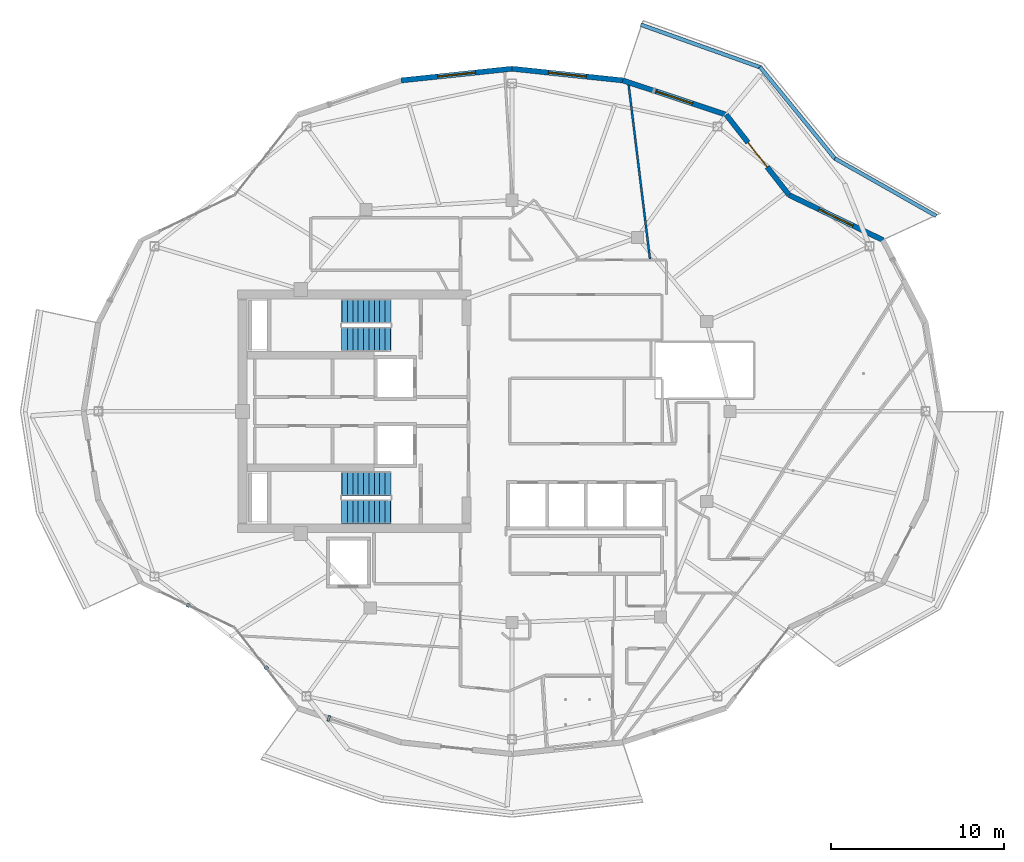
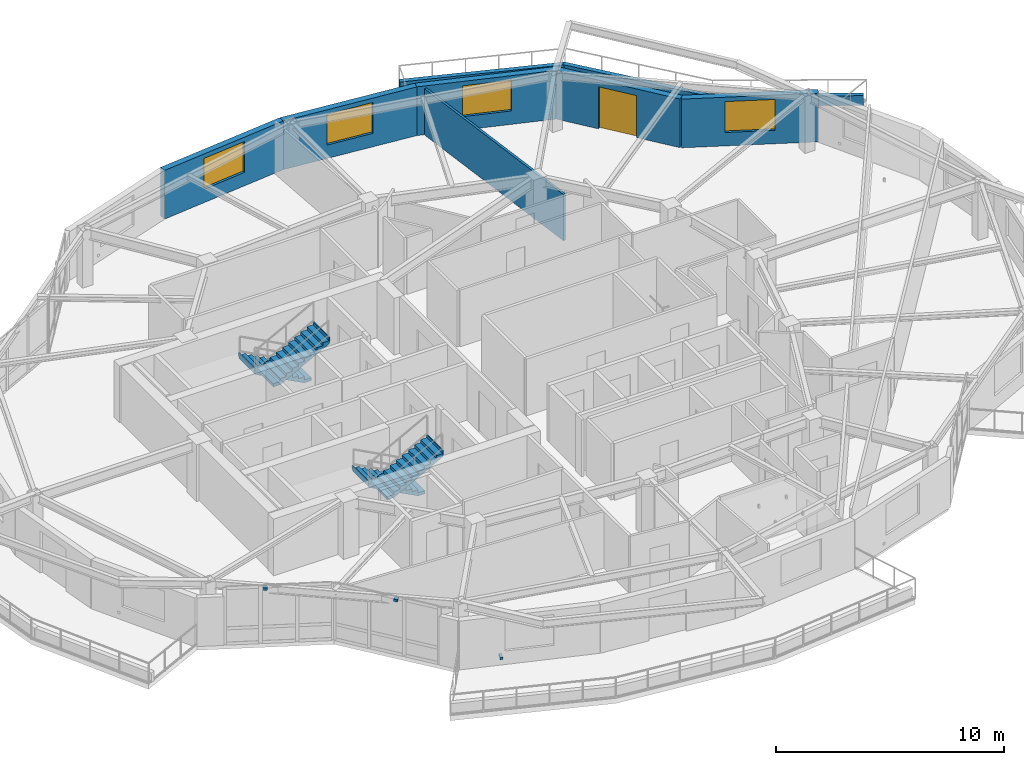
# One storey, part 11 of 19: 9 walls, 4 stair flights, 4 windows, 3 discrete accessories, 1 door, 5 openings, 2 elements without a shape of their own.
"""IFC4 building model written with IfcOpenShell, lengths in metres."""

from ifc_helpers import new_model, si_unit, direction, frame, frame_2d, origin, origin_2d, place, context, subcontext, project, spatial, polyline, rectangle, outline, extrude, material, layer, layer_set, type_object, element, fill, aggregate, save


model = new_model("IFC4")

# Units and contexts
model_context = context("Model", 3, precision=1e-05, world=origin(), true_north=direction((0.0, 1.0)))
body_context = subcontext(model_context, "Body", "Model", "MODEL_VIEW")
ifc_project = project(units=[si_unit("LENGTHUNIT", "METRE"), si_unit("AREAUNIT", "SQUARE_METRE"), si_unit("VOLUMEUNIT", "CUBIC_METRE"), si_unit("PLANEANGLEUNIT", "RADIAN"), si_unit("MASSUNIT", "GRAM", prefix="KILO")], contexts=[model_context])

# Site, building, storey
site_placement = place(None, origin())
site = spatial("IfcSite", under=ifc_project, at=site_placement, CompositionType="ELEMENT")
building_placement = place(site_placement, origin())
building = spatial("IfcBuilding", under=site, at=building_placement, Name="Kolvaren Gate Tower and Convention Centre", CompositionType="ELEMENT")
storey_placement = place(building_placement, frame((0.0, 0.0, 212.89990234375)))
storey = spatial("IfcBuildingStorey", under=building, at=storey_placement, Name="L56", CompositionType="ELEMENT", Elevation=212.89990234375)

# Walls
ifc_material_1 = material(Name="Fire-Rated Acoustic Gypsum Stud Partition", Category="gypsum")
ifc_layer_1 = layer(ifc_material_1, 0.1201171875)
ifc_layer_set_1 = layer_set([ifc_layer_1], Name="Fire-Rated Acoustic Gypsum Stud Partition")
wall_type_1 = type_object("IfcWallType", Name="ARCH-WL-PART-120", PredefinedType="PARTITIONING", material=ifc_layer_set_1)
wall_1_placement = place(storey_placement, frame((36.866455078125, 45.85400390625, 0.0), z_axis=(0.0, 0.0, 1.0), x_axis=(0.12152760456, -0.99258805218, 0.0)))
element("IfcWall", 1, at=wall_1_placement, inside=storey, type_object=wall_type_1, Name="Interior Partition WL-L56-INT-074", PredefinedType="PARTITIONING", context=body_context, shape_type="SweptSolid", body=[
    extrude(rectangle(XDim=10.116943359375, YDim=0.1201171875, at=frame_2d((5.05859375, 0.0))), origin(), (0.0, 0.0, 1.0), 2.47802734375),
])
ifc_material_2 = material(Name="Piedmont Cream Honed Limestone Cladding", Category="masonry")
ifc_layer_2 = layer(ifc_material_2, 0.219970703125)
ifc_layer_set_2 = layer_set([ifc_layer_2], Name="Piedmont Cream Honed Limestone Cladding")
wall_type_2 = type_object("IfcWallType", Name="ARCH-WL-PLANTER-220", PredefinedType="PARAPET", material=ifc_layer_set_2)
wall_2_placement = place(storey_placement, frame((48.7763671875, 41.61669921875, 0.0), z_axis=(0.0, 0.0, 1.0), x_axis=(0.869860619267, -0.493297580623, 0.0)))
element("IfcWall", 2, at=wall_2_placement, inside=storey, type_object=wall_type_2, Name="Vertical-Forest Balcony Stone Planter Kerb PK-L56-1.1", PredefinedType="PARAPET", context=body_context, shape_type="SweptSolid", body=[
    extrude(rectangle(XDim=6.74267578125, YDim=0.219970703125, at=frame_2d((3.371337890625, 0.0))), origin(), (0.0, 0.0, 1.0), 0.52001953125),
])
wall_3_placement = place(storey_placement, frame((44.4482421875, 46.912841796875, 0.0), z_axis=(0.0, 0.0, 1.0), x_axis=(0.632697312147, -0.774399193699, 0.0)))
element("IfcWall", 3, at=wall_3_placement, inside=storey, type_object=wall_type_2, Name="Vertical-Forest Balcony Stone Planter Kerb PK-L56-1.2", PredefinedType="PARAPET", context=body_context, shape_type="SweptSolid", body=[
    extrude(rectangle(XDim=6.9140625, YDim=0.219970703125, at=frame_2d((3.45703125, 0.0))), origin(), (0.0, 0.0, 1.0), 0.52001953125),
])
wall_4_placement = place(storey_placement, frame((37.564697265625, 49.34716796875, 0.0), z_axis=(0.0, 0.0, 1.0), x_axis=(0.941780086523, -0.336229488042, 0.0)))
element("IfcWall", 4, at=wall_4_placement, inside=storey, type_object=wall_type_2, Name="Vertical-Forest Balcony Stone Planter Kerb PK-L56-1.3", PredefinedType="PARAPET", context=body_context, shape_type="SweptSolid", body=[
    extrude(rectangle(XDim=7.3779296875, YDim=0.219970703125, at=frame_2d((3.68896484375, 0.0))), origin(), (0.0, 0.0, 1.0), 0.52001953125),
])

# Wall, opening, window
ifc_layer_3 = layer(ifc_material_2, 0.300048828125)
ifc_layer_set_3 = layer_set([ifc_layer_3], Name="Piedmont Cream Honed Limestone Cladding")
wall_type_3 = type_object("IfcWallType", Name="ARCH-WL-STONE-300", PredefinedType="SOLIDWALL", material=ifc_layer_set_3)
wall_5_placement = place(storey_placement, frame((46.132568359375, 39.50732421875, 0.0), z_axis=(0.0, 0.0, 1.0), x_axis=(0.901348331142, -0.433094892545, 0.0)))
wall_5 = element("IfcWall", 5, at=wall_5_placement, inside=storey, type_object=wall_type_3, Name="Tower L56 Honed Stone Spandrel Wall EW-02", PredefinedType="SOLIDWALL", context=body_context, shape_type="SweptSolid", body=[
    extrude(rectangle(XDim=6.0205078125, YDim=0.300048828125, at=frame_2d((3.01025390625, 0.0))), origin(), (0.0, 0.0, 1.0), 2.60498046875),
])
opening_1_placement = place(wall_5_placement, frame((1.909912109375, 0.0, 0.719970703125)))
opening_1 = element("IfcOpeningElement", 6, at=opening_1_placement, cuts=wall_5, Name="Opening W-03", PredefinedType="OPENING", context=body_context, shape_type="SweptSolid", body=[
    extrude(rectangle(XDim=2.199951171875, YDim=1.64990234375, at=frame_2d((1.10009765625, 0.824951171875))), frame((0.0, 0.159912109375, 0.0), z_axis=(0.0, -1.0, 0.0), x_axis=(1.0, 0.0, 0.0)), (0.0, 0.0, 1.0), 0.320068359375),
])
ifc_material_3 = material(Name="Low-E Triple Insulated Glazing Unit 44 mm", Category="glass")
window_type = type_object("IfcWindowType", Name="ARCH-WN-RES-2200", PartitioningType="SINGLE_PANEL", PredefinedType="WINDOW", material=ifc_material_3)
window_1_placement = place(opening_1_placement, origin())
window_1 = element("IfcWindow", 7, at=window_1_placement, inside=storey, type_object=window_type, Name="Tower L56 Punched Stone Facade Window W-02", OverallHeight=1.64990234375, OverallWidth=2.199951171875, PartitioningType="SINGLE_PANEL", PredefinedType="WINDOW", context=body_context, shape_type="SweptSolid", body=[
    extrude(rectangle(XDim=2.199951171875, YDim=1.64990234375, at=frame_2d((1.10009765625, 0.824951171875))), frame((0.0, 0.030029296875, 0.0), z_axis=(0.0, -1.0, 0.0), x_axis=(1.0, 0.0, 0.0)), (0.0, 0.0, 1.0), 0.06005859375),
])
fill(opening_1, window_1)

# Wall, opening, door
wall_6_placement = place(storey_placement, frame((42.5, 44.147216796875, 0.0), z_axis=(0.0, 0.0, 1.0), x_axis=(0.616450126935, -0.787393955401, 0.0)))
wall_6 = element("IfcWall", 8, at=wall_6_placement, inside=storey, type_object=wall_type_3, Name="Tower L56 Honed Stone Spandrel Wall EW-03", PredefinedType="SOLIDWALL", context=body_context, shape_type="SweptSolid", body=[
    extrude(rectangle(XDim=5.892822265625, YDim=0.300048828125, at=frame_2d((2.9462890625, 0.0))), origin(), (0.0, 0.0, 1.0), 2.60498046875),
])
opening_2_placement = place(wall_6_placement, frame((2.0458984375, 0.0, 0.0)))
opening_2 = element("IfcOpeningElement", 9, at=opening_2_placement, cuts=wall_6, Name="Opening DB-01", PredefinedType="OPENING", context=body_context, shape_type="SweptSolid", body=[
    extrude(rectangle(XDim=1.800048828125, YDim=2.25, at=frame_2d((0.89990234375, 1.125))), frame((0.0, 0.159912109375, 0.0), z_axis=(0.0, -1.0, 0.0), x_axis=(1.0, 0.0, 0.0)), (0.0, 0.0, 1.0), 0.320068359375),
])
ifc_material_4 = material(Name="Anodized Architectural Aluminium Alloy 6063-T6", Category="aluminium")
door_type = type_object("IfcDoorType", Name="ARCH-DR-BALC-1800", OperationType="SLIDING_TO_LEFT", PredefinedType="DOOR", material=ifc_material_4)
door_placement = place(opening_2_placement, origin())
door = element("IfcDoor", 10, at=door_placement, inside=storey, type_object=door_type, Name="Planted Sky Terrace Access Door DB-L56-03", OperationType="SLIDING_TO_LEFT", OverallHeight=2.25, OverallWidth=1.800048828125, PredefinedType="DOOR", context=body_context, shape_type="SweptSolid", body=[
    extrude(rectangle(XDim=1.800048828125, YDim=2.25, at=frame_2d((0.89990234375, 1.125))), frame((0.0, 0.02490234375, 0.0), z_axis=(0.0, -1.0, 0.0), x_axis=(1.0, 0.0, 0.0)), (0.0, 0.0, 1.0), 0.050048828125),
])
fill(opening_2, door)

# Wall, opening, window
wall_7_placement = place(storey_placement, frame((36.53076171875, 46.125244140625, 0.0), z_axis=(0.0, 0.0, 1.0), x_axis=(0.949240877604, -0.314550085495, 0.0)))
wall_7 = element("IfcWall", 11, at=wall_7_placement, inside=storey, type_object=wall_type_3, Name="Tower L56 Honed Stone Spandrel Wall EW-04", PredefinedType="SOLIDWALL", context=body_context, shape_type="SweptSolid", body=[
    extrude(rectangle(XDim=6.288330078125, YDim=0.300048828125, at=frame_2d((3.14404296875, 0.0))), origin(), (0.0, 0.0, 1.0), 2.60498046875),
])
opening_3_placement = place(wall_7_placement, frame((2.0439453125, 0.0, 0.719970703125)))
opening_3 = element("IfcOpeningElement", 12, at=opening_3_placement, cuts=wall_7, Name="Opening W-03", PredefinedType="OPENING", context=body_context, shape_type="SweptSolid", body=[
    extrude(rectangle(XDim=2.199951171875, YDim=1.64990234375, at=frame_2d((1.10009765625, 0.824951171875))), frame((0.0, 0.159912109375, 0.0), z_axis=(0.0, -1.0, 0.0), x_axis=(1.0, 0.0, 0.0)), (0.0, 0.0, 1.0), 0.320068359375),
])
window_2_placement = place(opening_3_placement, origin())
window_2 = element("IfcWindow", 13, at=window_2_placement, inside=storey, type_object=window_type, Name="Tower L56 Punched Stone Facade Window W-04", OverallHeight=1.64990234375, OverallWidth=2.199951171875, PartitioningType="SINGLE_PANEL", PredefinedType="WINDOW", context=body_context, shape_type="SweptSolid", body=[
    extrude(rectangle(XDim=2.199951171875, YDim=1.64990234375, at=frame_2d((1.10009765625, 0.824951171875))), frame((0.0, 0.030029296875, 0.0), z_axis=(0.0, -1.0, 0.0), x_axis=(1.0, 0.0, 0.0)), (0.0, 0.0, 1.0), 0.06005859375),
])
fill(opening_3, window_2)

wall_8_placement = place(storey_placement, frame((30.125, 46.800048828125, 0.0), z_axis=(0.0, 0.0, 1.0), x_axis=(0.994497142298, -0.104763705363, 0.0)))
wall_8 = element("IfcWall", 14, at=wall_8_placement, inside=storey, type_object=wall_type_3, Name="Tower L56 Honed Stone Spandrel Wall EW-05", PredefinedType="SOLIDWALL", context=body_context, shape_type="SweptSolid", body=[
    extrude(rectangle(XDim=6.441162109375, YDim=0.300048828125, at=frame_2d((3.220703125, 0.0))), origin(), (0.0, 0.0, 1.0), 2.60498046875),
])
opening_4_placement = place(wall_8_placement, frame((2.12109375, 0.0, 0.719970703125)))
opening_4 = element("IfcOpeningElement", 15, at=opening_4_placement, cuts=wall_8, Name="Opening W-03", PredefinedType="OPENING", context=body_context, shape_type="SweptSolid", body=[
    extrude(rectangle(XDim=2.199951171875, YDim=1.64990234375, at=frame_2d((1.10009765625, 0.824951171875))), frame((0.0, 0.159912109375, 0.0), z_axis=(0.0, -1.0, 0.0), x_axis=(1.0, 0.0, 0.0)), (0.0, 0.0, 1.0), 0.320068359375),
])
window_3_placement = place(opening_4_placement, origin())
window_3 = element("IfcWindow", 16, at=window_3_placement, inside=storey, type_object=window_type, Name="Tower L56 Punched Stone Facade Window W-05", OverallHeight=1.64990234375, OverallWidth=2.199951171875, PartitioningType="SINGLE_PANEL", PredefinedType="WINDOW", context=body_context, shape_type="SweptSolid", body=[
    extrude(rectangle(XDim=2.199951171875, YDim=1.64990234375, at=frame_2d((1.10009765625, 0.824951171875))), frame((0.0, 0.030029296875, 0.0), z_axis=(0.0, -1.0, 0.0), x_axis=(1.0, 0.0, 0.0)), (0.0, 0.0, 1.0), 0.06005859375),
])
fill(opening_4, window_3)

wall_9_placement = place(storey_placement, frame((23.71923828125, 46.125244140625, 0.0), z_axis=(0.0, 0.0, 1.0), x_axis=(0.994497142298, 0.104763705363, 0.0)))
wall_9 = element("IfcWall", 17, at=wall_9_placement, inside=storey, type_object=wall_type_3, Name="Tower L56 Honed Stone Spandrel Wall EW-06", PredefinedType="SOLIDWALL", context=body_context, shape_type="SweptSolid", body=[
    extrude(rectangle(XDim=6.441162109375, YDim=0.300048828125, at=frame_2d((3.220703125, 0.0))), origin(), (0.0, 0.0, 1.0), 2.60498046875),
])
opening_5_placement = place(wall_9_placement, frame((2.12109375, 0.0, 0.719970703125)))
opening_5 = element("IfcOpeningElement", 18, at=opening_5_placement, cuts=wall_9, Name="Opening W-03", PredefinedType="OPENING", context=body_context, shape_type="SweptSolid", body=[
    extrude(rectangle(XDim=2.199951171875, YDim=1.64990234375, at=frame_2d((1.10009765625, 0.824951171875))), frame((0.0, 0.159912109375, 0.0), z_axis=(0.0, -1.0, 0.0), x_axis=(1.0, 0.0, 0.0)), (0.0, 0.0, 1.0), 0.320068359375),
])
window_4_placement = place(opening_5_placement, origin())
window_4 = element("IfcWindow", 19, at=window_4_placement, inside=storey, type_object=window_type, Name="Tower L56 Punched Stone Facade Window W-06", OverallHeight=1.64990234375, OverallWidth=2.199951171875, PartitioningType="SINGLE_PANEL", PredefinedType="WINDOW", context=body_context, shape_type="SweptSolid", body=[
    extrude(rectangle(XDim=2.199951171875, YDim=1.64990234375, at=frame_2d((1.10009765625, 0.824951171875))), frame((0.0, 0.030029296875, 0.0), z_axis=(0.0, -1.0, 0.0), x_axis=(1.0, 0.0, 0.0)), (0.0, 0.0, 1.0), 0.06005859375),
])
fill(opening_5, window_4)

# Stair, stair flights
ifc_material_5 = material(Name="Concrete C50/60", Category="concrete")
stair_type = type_object("IfcStairType", Name="STR-STAIR-CORE", PredefinedType="HALF_TURN_STAIR", material=ifc_material_5)
stair_1_placement = place(storey_placement, origin())
stair_1 = element("IfcStair", 20, at=stair_1_placement, inside=storey, type_object=stair_type, Name="L56 Tower North Exit Stair ST-T1", PredefinedType="HALF_TURN_STAIR")
stair_flight_type = type_object("IfcStairFlightType", Name="STR-SFL-1420", PredefinedType="STRAIGHT", material=ifc_material_5)
stair_flight_1_placement = place(storey_placement, frame((23.10009765625, 32.7900390625, 0.0), z_axis=(0.0, 0.0, 1.0), x_axis=(-1.0, 0.0, 0.0)))
stair_flight_1 = element("IfcStairFlight", 21, at=stair_flight_1_placement, type_object=stair_flight_type, Name="ST-T1 flight 1", NumberOfRisers=10, NumberOfTreads=9, PredefinedType="STRAIGHT", RiserHeight=0.165, TreadLength=0.31, context=body_context, shape_type="SweptSolid", body=[
    extrude(outline(polyline([(-0.034912109375, 0.0), (-0.034912109375, 0.1650390625), (0.31005859375, 0.1650390625), (0.31005859375, 0.330078125), (0.6201171875, 0.330078125), (0.6201171875, 0.4951171875), (0.929931640625, 0.4951171875), (0.929931640625, 0.659912109375), (1.239990234375, 0.659912109375), (1.239990234375, 0.824951171875), (1.550048828125, 0.824951171875), (1.550048828125, 0.989990234375), (1.860107421875, 0.989990234375), (1.860107421875, 1.155029296875), (2.169921875, 1.155029296875), (2.169921875, 1.320068359375), (2.47998046875, 1.320068359375), (2.47998046875, 1.485107421875), (2.7900390625, 1.485107421875), (2.7900390625, 1.64990234375), (2.8349609375, 1.64990234375), (2.8349609375, 1.489990234375), (2.7900390625, 1.315185546875), (0.319091796875, 0.0), (-0.034912109375, 0.0)])), frame((0.0, 0.7099609375, 0.0), z_axis=(0.0, -1.0, 0.0), x_axis=(1.0, 0.0, 0.0)), (0.0, 0.0, 1.0), 1.419921875),
])
stair_flight_2_placement = place(storey_placement, frame((20.31005859375, 31.169921875, 1.650146484375), z_axis=(0.0, 0.0, 1.0), x_axis=(1.0, 0.0, 0.0)))
stair_flight_2 = element("IfcStairFlight", 22, at=stair_flight_2_placement, type_object=stair_flight_type, Name="ST-T1 flight 2", NumberOfRisers=10, NumberOfTreads=9, PredefinedType="STRAIGHT", RiserHeight=0.165, TreadLength=0.31, context=body_context, shape_type="SweptSolid", body=[
    extrude(outline(polyline([(-0.034912109375, 0.0), (-0.034912109375, 0.1650390625), (0.31005859375, 0.1650390625), (0.31005859375, 0.330078125), (0.6201171875, 0.330078125), (0.6201171875, 0.4951171875), (0.929931640625, 0.4951171875), (0.929931640625, 0.659912109375), (1.239990234375, 0.659912109375), (1.239990234375, 0.824951171875), (1.550048828125, 0.824951171875), (1.550048828125, 0.989990234375), (1.860107421875, 0.989990234375), (1.860107421875, 1.155029296875), (2.169921875, 1.155029296875), (2.169921875, 1.320068359375), (2.47998046875, 1.320068359375), (2.47998046875, 1.485107421875), (2.7900390625, 1.485107421875), (2.7900390625, 1.64990234375), (2.8349609375, 1.64990234375), (2.8349609375, 1.489990234375), (2.7900390625, 1.315185546875), (0.319091796875, 0.0), (-0.034912109375, 0.0)])), frame((0.0, 0.7099609375, 0.0), z_axis=(0.0, -1.0, 0.0), x_axis=(1.0, 0.0, 0.0)), (0.0, 0.0, 1.0), 1.419921875),
])
aggregate(stair_1, [stair_flight_1, stair_flight_2])

stair_2_placement = place(storey_placement, origin())
stair_2 = element("IfcStair", 23, at=stair_2_placement, inside=storey, type_object=stair_type, Name="L56 Tower South Exit Stair ST-T2", PredefinedType="HALF_TURN_STAIR")
stair_flight_3_placement = place(storey_placement, frame((23.10009765625, 22.830078125, 0.0), z_axis=(0.0, 0.0, 1.0), x_axis=(-1.0, 0.0, 0.0)))
stair_flight_3 = element("IfcStairFlight", 24, at=stair_flight_3_placement, type_object=stair_flight_type, Name="ST-T2 flight 1", NumberOfRisers=10, NumberOfTreads=9, PredefinedType="STRAIGHT", RiserHeight=0.165, TreadLength=0.31, context=body_context, shape_type="SweptSolid", body=[
    extrude(outline(polyline([(-0.034912109375, 0.0), (-0.034912109375, 0.1650390625), (0.31005859375, 0.1650390625), (0.31005859375, 0.330078125), (0.6201171875, 0.330078125), (0.6201171875, 0.4951171875), (0.929931640625, 0.4951171875), (0.929931640625, 0.659912109375), (1.239990234375, 0.659912109375), (1.239990234375, 0.824951171875), (1.550048828125, 0.824951171875), (1.550048828125, 0.989990234375), (1.860107421875, 0.989990234375), (1.860107421875, 1.155029296875), (2.169921875, 1.155029296875), (2.169921875, 1.320068359375), (2.47998046875, 1.320068359375), (2.47998046875, 1.485107421875), (2.7900390625, 1.485107421875), (2.7900390625, 1.64990234375), (2.8349609375, 1.64990234375), (2.8349609375, 1.489990234375), (2.7900390625, 1.315185546875), (0.319091796875, 0.0), (-0.034912109375, 0.0)])), frame((0.0, 0.7099609375, 0.0), z_axis=(0.0, -1.0, 0.0), x_axis=(1.0, 0.0, 0.0)), (0.0, 0.0, 1.0), 1.419921875),
])
stair_flight_4_placement = place(storey_placement, frame((20.31005859375, 21.2099609375, 1.650146484375), z_axis=(0.0, 0.0, 1.0), x_axis=(1.0, 0.0, 0.0)))
stair_flight_4 = element("IfcStairFlight", 25, at=stair_flight_4_placement, type_object=stair_flight_type, Name="ST-T2 flight 2", NumberOfRisers=10, NumberOfTreads=9, PredefinedType="STRAIGHT", RiserHeight=0.165, TreadLength=0.31, context=body_context, shape_type="SweptSolid", body=[
    extrude(outline(polyline([(-0.034912109375, 0.0), (-0.034912109375, 0.1650390625), (0.31005859375, 0.1650390625), (0.31005859375, 0.330078125), (0.6201171875, 0.330078125), (0.6201171875, 0.4951171875), (0.929931640625, 0.4951171875), (0.929931640625, 0.659912109375), (1.239990234375, 0.659912109375), (1.239990234375, 0.824951171875), (1.550048828125, 0.824951171875), (1.550048828125, 0.989990234375), (1.860107421875, 0.989990234375), (1.860107421875, 1.155029296875), (2.169921875, 1.155029296875), (2.169921875, 1.320068359375), (2.47998046875, 1.320068359375), (2.47998046875, 1.485107421875), (2.7900390625, 1.485107421875), (2.7900390625, 1.64990234375), (2.8349609375, 1.64990234375), (2.8349609375, 1.489990234375), (2.7900390625, 1.315185546875), (0.319091796875, 0.0), (-0.034912109375, 0.0)])), frame((0.0, 0.7099609375, 0.0), z_axis=(0.0, -1.0, 0.0), x_axis=(1.0, 0.0, 0.0)), (0.0, 0.0, 1.0), 1.419921875),
])
aggregate(stair_2, [stair_flight_3, stair_flight_4])

# Discrete accessories
discrete_accessory_type = type_object("IfcDiscreteAccessoryType", Name="ARCH-ACC-BRACKET-120", PredefinedType="BRACKET", material=ifc_material_4)
for number, where, z_axis, x_axis, name in (
    (26, (11.404296875, 15.79638671875, 2.85009765625), (0.0, 0.0, 1.0), (0.90135914581, -0.433072384555, 0.0), "Solar Screen Spandrel Anchor Bracket BK-L56-14"),
    (27, (15.93359375, 12.172607421875, 2.85009765625), (0.0, 0.0, 1.0), (0.616434119112, -0.787406487651, 0.0), "Solar Screen Spandrel Anchor Bracket BK-L56-15"),
):
    element("IfcDiscreteAccessory", number, at=place(storey_placement, frame(where, z_axis=z_axis, x_axis=x_axis)), inside=storey, type_object=discrete_accessory_type, Name=name, PredefinedType="BRACKET", context=body_context, shape_type="SweptSolid", body=[
        extrude(rectangle(XDim=0.179931640625, YDim=0.219970703125, at=origin_2d()), origin(), (0.0, 0.0, 1.0), 0.1201171875),
    ])
discrete_accessory_placement = place(storey_placement, frame((19.538330078125, 9.260009765625, 0.2900390625), z_axis=(0.0, 0.0, 1.0), x_axis=(0.949241728595, -0.314547517385, 0.0)))
element("IfcDiscreteAccessory", 28, at=discrete_accessory_placement, inside=storey, type_object=discrete_accessory_type, Name="Ceramic Fin Wall Anchor Bracket FBK-L56-16", PredefinedType="BRACKET", context=body_context, shape_type="SweptSolid", body=[
    extrude(rectangle(XDim=0.1201171875, YDim=0.320068359375, at=origin_2d()), origin(), (0.0, 0.0, 1.0), 0.1201171875),
])

save(model, "model.ifc")
